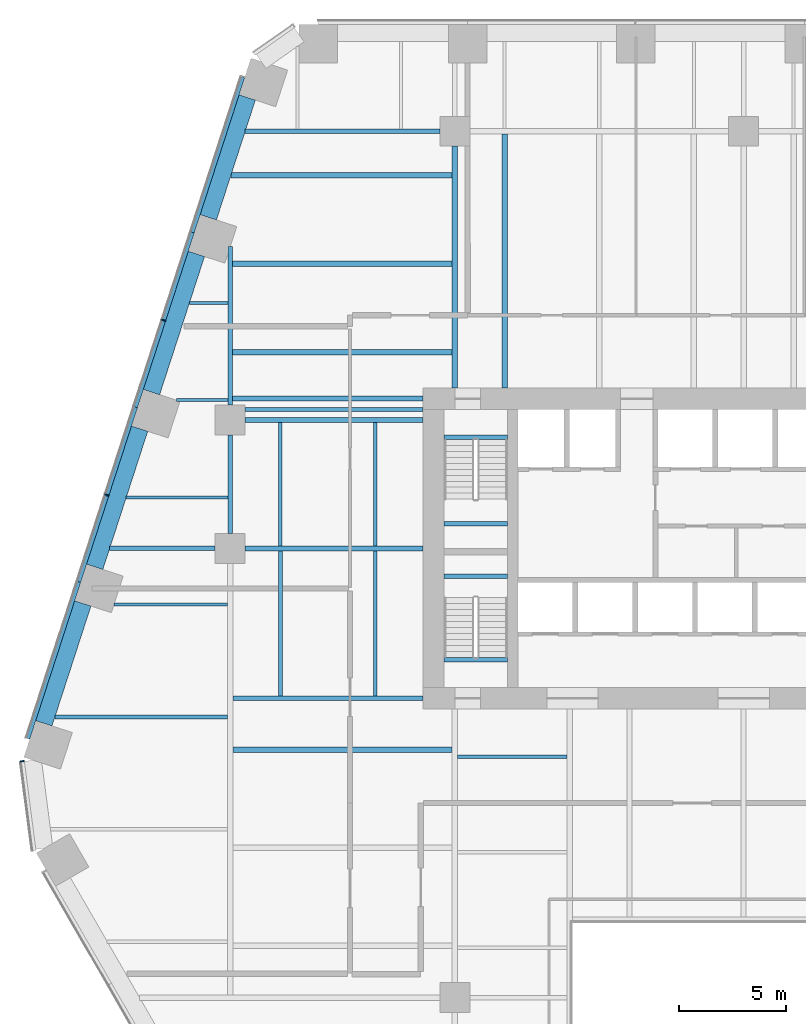
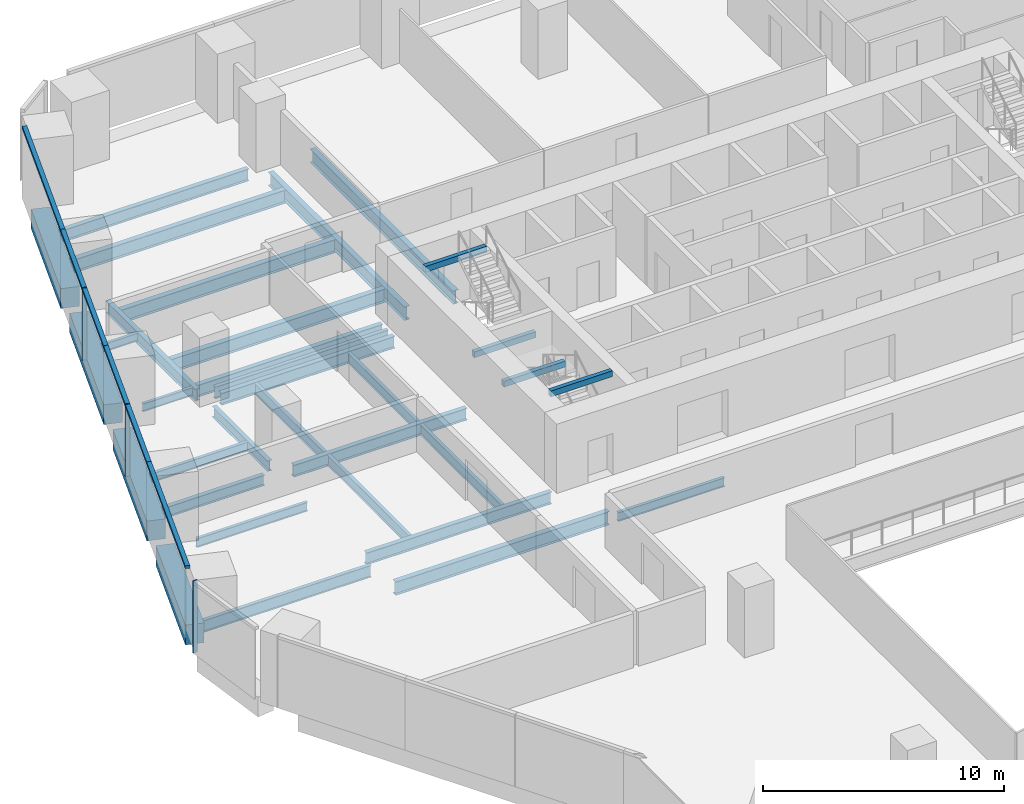
# One storey, part 8 of 20: 33 beams, 9 members, 2 elements without a shape of their own.
"""IFC4 building model written with IfcOpenShell, lengths in metres."""

from ifc_helpers import new_model, si_unit, direction, frame, origin, origin_2d, place, context, subcontext, project, spatial, rectangle, i_section, extrude, material, layer, layer_set, material_profile, profile_set, type_object, element, aggregate, save


model = new_model("IFC4")

# Units and contexts
model_context = context("Model", 3, precision=1e-05, world=origin(), true_north=direction((0.0, 1.0)))
body_context = subcontext(model_context, "Body", "Model", "MODEL_VIEW")
ifc_project = project(units=[si_unit("LENGTHUNIT", "METRE"), si_unit("AREAUNIT", "SQUARE_METRE"), si_unit("VOLUMEUNIT", "CUBIC_METRE"), si_unit("PLANEANGLEUNIT", "RADIAN"), si_unit("MASSUNIT", "GRAM", prefix="KILO")], contexts=[model_context])

# Site, building, storey
site_placement = place(None, origin())
site = spatial("IfcSite", under=ifc_project, at=site_placement, CompositionType="ELEMENT")
building_placement = place(site_placement, origin())
building = spatial("IfcBuilding", under=site, at=building_placement, Name="Isthmus Gate Tower", CompositionType="ELEMENT")
storey_placement = place(building_placement, frame((0.0, 0.0, 43.300048828125)))
storey = spatial("IfcBuildingStorey", under=building, at=storey_placement, Name="L08", CompositionType="ELEMENT", Elevation=43.300048828125)

# Curtain wall, members
ifc_material_1 = material(Name="Aluminium, pale champagne anodised", Category="aluminium")
ifc_layer = layer(ifc_material_1, 0.199951171875)
ifc_layer_set = layer_set([ifc_layer], Name="CW-1 UNITISED CURTAIN WALL 200 DEEP")
curtain_wall_type = type_object("IfcCurtainWallType", Name="CW-1 UNITISED CURTAIN WALL 200 DEEP", PredefinedType="NOTDEFINED", material=ifc_layer_set)
curtain_wall_1_placement = place(storey_placement, origin())
curtain_wall_1 = element("IfcCurtainWall", 1, at=curtain_wall_1_placement, inside=storey, type_object=curtain_wall_type, Name="CW-1 NW L08", PredefinedType="NOTDEFINED")
ifc_material_2 = material(Name="Aluminium, pale champagne anodised", Category="aluminium")
ifc_material_profile_1 = material_profile(ifc_material_2, rectangle(XDim=0.06005859375, YDim=0.199951171875, at=origin_2d()), Name="60x200")
ifc_profile_set_1 = profile_set([ifc_material_profile_1], Name="Aluminium, pale champagne anodised")
member_type_1 = type_object("IfcMemberType", Name="CW-1 MULLION 60 X 200", PredefinedType="MULLION", material=ifc_profile_set_1)
member_1_placement = place(storey_placement, frame((-27.11474609375, 18.163818359375, 0.0), z_axis=(0.0, 0.0, 1.0), x_axis=(-0.309016994375, -0.951056516295, 0.0)))
member_1 = element("IfcMember", 2, at=member_1_placement, type_object=member_type_1, Name="CW-1 mullion", PredefinedType="MULLION", context=body_context, shape_type="SweptSolid", body=[
    extrude(rectangle(XDim=0.06005859375, YDim=0.199951171875, at=origin_2d()), origin(), (0.0, 0.0, 1.0), 3.64990234375),
])
member_2_placement = place(storey_placement, frame((-29.76904296875, 9.994873046875, 0.0), z_axis=(0.0, 0.0, 1.0), x_axis=(-0.309016994375, -0.951056516295, 0.0)))
member_2 = element("IfcMember", 3, at=member_2_placement, type_object=member_type_1, Name="CW-1 mullion", PredefinedType="MULLION", context=body_context, shape_type="SweptSolid", body=[
    extrude(rectangle(XDim=0.06005859375, YDim=0.199951171875, at=origin_2d()), origin(), (0.0, 0.0, 1.0), 3.64990234375),
])

# Curtain wall, member
curtain_wall_2_placement = place(storey_placement, origin())
curtain_wall_2 = element("IfcCurtainWall", 4, at=curtain_wall_2_placement, inside=storey, type_object=curtain_wall_type, Name="CW-1 NW-SW L08", PredefinedType="NOTDEFINED")
member_3_placement = place(storey_placement, frame((-33.722900390625, -2.44482421875, 0.0), z_axis=(0.0, 0.0, 1.0), x_axis=(0.129164534, -0.991623175988, 0.0)))
member_3 = element("IfcMember", 5, at=member_3_placement, type_object=member_type_1, Name="CW-1 mullion", PredefinedType="MULLION", context=body_context, shape_type="SweptSolid", body=[
    extrude(rectangle(XDim=0.06005859375, YDim=0.199951171875, at=origin_2d()), origin(), (0.0, 0.0, 1.0), 3.64990234375),
])
aggregate(curtain_wall_2, [member_3])

# Member
ifc_material_3 = material(Name="Aluminium, pale champagne anodised", Category="aluminium")
ifc_material_profile_2 = material_profile(ifc_material_3, rectangle(XDim=0.199951171875, YDim=0.14990234375, at=origin_2d()), Name="200x150")
ifc_profile_set_2 = profile_set([ifc_material_profile_2], Name="Aluminium, pale champagne anodised")
member_type_2 = type_object("IfcMemberType", Name="CW-1 TRANSOM 200 X 150", PredefinedType="USERDEFINED", material=ifc_profile_set_2)
member_4_placement = place(storey_placement, frame((-23.4208984375, 29.532958984375, 3.574951171875), z_axis=(-0.309018780445, -0.951055935964, 0.0), x_axis=(0.951055935964, -0.309018780445, 0.0)))
member_4 = element("IfcMember", 6, at=member_4_placement, type_object=member_type_2, Name="CW-1 transom", ObjectType="TRANSOM", PredefinedType="USERDEFINED", context=body_context, shape_type="SweptSolid", body=[
    extrude(rectangle(XDim=0.199951171875, YDim=0.14990234375, at=origin_2d()), origin(), (0.0, 0.0, 1.0), 7.629638671875),
])

member_5_placement = place(storey_placement, frame((-25.778564453125, 22.27685546875, 3.574951171875), z_axis=(-0.309021801109, -0.951054954479, 0.0), x_axis=(0.951054954479, -0.309021801109, 0.0)))
member_5 = element("IfcMember", 7, at=member_5_placement, type_object=member_type_2, Name="CW-1 transom", ObjectType="TRANSOM", PredefinedType="USERDEFINED", context=body_context, shape_type="SweptSolid", body=[
    extrude(rectangle(XDim=0.199951171875, YDim=0.14990234375, at=origin_2d()), origin(), (0.0, 0.0, 1.0), 4.294677734375),
])

member_6_placement = place(storey_placement, frame((-27.1240234375, 18.13525390625, 3.574951171875), z_axis=(-0.309023496777, -0.951054403512, 0.0), x_axis=(0.951054403512, -0.309023496777, 0.0)))
member_6 = element("IfcMember", 8, at=member_6_placement, type_object=member_type_2, Name="CW-1 transom", ObjectType="TRANSOM", PredefinedType="USERDEFINED", context=body_context, shape_type="SweptSolid", body=[
    extrude(rectangle(XDim=0.199951171875, YDim=0.14990234375, at=origin_2d()), origin(), (0.0, 0.0, 1.0), 4.234619140625),
])

member_7_placement = place(storey_placement, frame((-28.4326171875, 14.10791015625, 3.574951171875), z_axis=(-0.309021801109, -0.951054954479, 0.0), x_axis=(0.951054954479, -0.309021801109, 0.0)))
member_7 = element("IfcMember", 9, at=member_7_placement, type_object=member_type_2, Name="CW-1 transom", ObjectType="TRANSOM", PredefinedType="USERDEFINED", context=body_context, shape_type="SweptSolid", body=[
    extrude(rectangle(XDim=0.199951171875, YDim=0.14990234375, at=origin_2d()), origin(), (0.0, 0.0, 1.0), 4.294677734375),
])

member_8_placement = place(storey_placement, frame((-29.7783203125, 9.96630859375, 3.574951171875), z_axis=(-0.309023496777, -0.951054403512, 0.0), x_axis=(0.951054403512, -0.309023496777, 0.0)))
member_8 = element("IfcMember", 10, at=member_8_placement, type_object=member_type_2, Name="CW-1 transom", ObjectType="TRANSOM", PredefinedType="USERDEFINED", context=body_context, shape_type="SweptSolid", body=[
    extrude(rectangle(XDim=0.199951171875, YDim=0.14990234375, at=origin_2d()), origin(), (0.0, 0.0, 1.0), 4.234619140625),
])

member_9_placement = place(storey_placement, frame((-31.0869140625, 5.93896484375, 3.574951171875), z_axis=(-0.30902720148, -0.951053199745, 0.0), x_axis=(0.951053199745, -0.30902720148, 0.0)))
member_9 = element("IfcMember", 11, at=member_9_placement, type_object=member_type_2, Name="CW-1 transom", ObjectType="TRANSOM", PredefinedType="USERDEFINED", context=body_context, shape_type="SweptSolid", body=[
    extrude(rectangle(XDim=0.199951171875, YDim=0.14990234375, at=origin_2d()), origin(), (0.0, 0.0, 1.0), 7.689453125),
])

aggregate(curtain_wall_1, [member_4, member_5, member_1, member_6, member_7, member_2, member_8, member_9])

# Beams
ifc_material_4 = material(Name="Concrete f'c 70 MPa", Category="concrete")
ifc_material_profile_3 = material_profile(ifc_material_4, rectangle(XDim=0.800048828125, YDim=1.0, at=origin_2d()), Name="RC 800X1000")
ifc_profile_set_3 = profile_set([ifc_material_profile_3], Name="Concrete f'c 70 MPa")
beam_type_1 = type_object("IfcBeamType", Name="RC SPANDREL 800 X 1000", PredefinedType="SPANDREL", material=ifc_profile_set_3)
beam_1_placement = place(storey_placement, frame((-32.70947265625, -0.672607421875, -0.5), z_axis=(0.309005457803, 0.951060264677, 0.0), x_axis=(-0.951060264677, 0.309005457803, 0.0)))
element("IfcBeam", 12, at=beam_1_placement, inside=storey, type_object=beam_type_1, Name="str-spandrel-L08-18", PredefinedType="SPANDREL", context=body_context, shape_type="SweptSolid", body=[
    extrude(rectangle(XDim=0.800048828125, YDim=1.0, at=origin_2d()), origin(), (0.0, 0.0, 1.0), 5.889404296875),
])
for number, where, z_axis, x_axis, name in (
    (13, (-30.333251953125, 6.640380859375, -0.5), (0.30900150794, 0.951061548004, 0.0), (-0.951061548004, 0.30900150794, 0.0), "str-spandrel-L08-19"),
    (14, (-27.67919921875, 14.809326171875, -0.5), (0.309034033576, 0.951050979754, 0.0), (-0.951050979754, 0.309034033576, 0.0), "str-spandrel-L08-20"),
):
    element("IfcBeam", number, at=place(storey_placement, frame(where, z_axis=z_axis, x_axis=x_axis)), inside=storey, type_object=beam_type_1, Name=name, PredefinedType="SPANDREL", context=body_context, shape_type="SweptSolid", body=[
        extrude(rectangle(XDim=0.800048828125, YDim=1.0, at=origin_2d()), origin(), (0.0, 0.0, 1.0), 6.789306640625),
    ])
beam_2_placement = place(storey_placement, frame((-25.02490234375, 22.978271484375, -0.5), z_axis=(0.309042953764, 0.951048081187, 0.0), x_axis=(-0.951048081187, 0.309042953764, 0.0)))
element("IfcBeam", 15, at=beam_2_placement, inside=storey, type_object=beam_type_1, Name="str-spandrel-L08-21", PredefinedType="SPANDREL", context=body_context, shape_type="SweptSolid", body=[
    extrude(rectangle(XDim=0.800048828125, YDim=1.0, at=origin_2d()), origin(), (0.0, 0.0, 1.0), 5.889404296875),
])
ifc_material_5 = material(Name="Concrete f'c 40 MPa", Category="concrete")
ifc_material_profile_4 = material_profile(ifc_material_5, rectangle(XDim=0.199951171875, YDim=0.300048828125, at=origin_2d()), Name="STAIR LANDING BEAM RC 200 X 300")
ifc_profile_set_4 = profile_set([ifc_material_profile_4], Name="Concrete f'c 40 MPa")
beam_type_2 = type_object("IfcBeamType", Name="STAIR LANDING BEAM RC 200 X 300", PredefinedType="BEAM", material=ifc_profile_set_4)
for number, where, z_axis, x_axis, name in (
    (16, (-14.0, 8.64990234375, 1.474853515625), (1.0, 0.0, 0.0), (0.0, 1.0, 0.0), "L08 ST1 landing beam 1"),
    (17, (-14.0, 12.7001953125, 3.349853515625), (1.0, 0.0, 0.0), (0.0, 1.0, 0.0), "L08 ST1 floor-edge seat beam"),
    (18, (-14.0, 6.199951171875, 1.474853515625), (1.0, 0.0, 0.0), (0.0, 1.0, 0.0), "L08 ST7 landing beam 1"),
    (19, (-14.0, 2.2998046875, 3.349853515625), (1.0, 0.0, 0.0), (0.0, 1.0, 0.0), "L08 ST7 floor-edge seat beam"),
):
    element("IfcBeam", number, at=place(storey_placement, frame(where, z_axis=z_axis, x_axis=x_axis)), inside=storey, type_object=beam_type_2, Name=name, PredefinedType="BEAM", context=body_context, shape_type="SweptSolid", body=[
        extrude(rectangle(XDim=0.199951171875, YDim=0.300048828125, at=origin_2d()), origin(), (0.0, 0.0, 1.0), 2.949951171875),
    ])
ifc_material_6 = material(Name="Structural steel ASTM A992 Gr 50", Category="steel")
ifc_material_profile_5 = material_profile(ifc_material_6, i_section(OverallWidth=0.1396484375, OverallDepth=0.4033203125, WebThickness=0.00634765625, FlangeThickness=0.010986328125, at=origin_2d()), Name="W16X31")
ifc_profile_set_5 = profile_set([ifc_material_profile_5], Name="Structural steel ASTM A992 Gr 50")
beam_type_3 = type_object("IfcBeamType", Name="STEEL FLOOR BEAM W16X31", PredefinedType="JOIST", material=ifc_profile_set_5)
beam_3_placement = place(storey_placement, frame((-26.503662109375, 14.427490234375, -0.3515625), z_axis=(1.0, 0.0, 0.0), x_axis=(0.0, 1.0, 0.0)))
element("IfcBeam", 20, at=beam_3_placement, inside=storey, type_object=beam_type_3, Name="str-beam-L08-01-01", PredefinedType="JOIST", context=body_context, shape_type="SweptSolid", body=[
    extrude(i_section(OverallWidth=0.1396484375, OverallDepth=0.4033203125, WebThickness=0.00634765625, FlangeThickness=0.010986328125, at=origin_2d()), origin(), (0.0, 0.0, 1.0), 2.389404296875),
])
beam_4_placement = place(storey_placement, frame((-25.90478515625, 18.975830078125, -0.3515625), z_axis=(1.0, 0.0, 0.0), x_axis=(0.0, 1.0, 0.0)))
element("IfcBeam", 21, at=beam_4_placement, inside=storey, type_object=beam_type_3, Name="str-beam-L08-01-02", PredefinedType="JOIST", context=body_context, shape_type="SweptSolid", body=[
    extrude(i_section(OverallWidth=0.1396484375, OverallDepth=0.4033203125, WebThickness=0.00634765625, FlangeThickness=0.010986328125, at=origin_2d()), origin(), (0.0, 0.0, 1.0), 1.79052734375),
])
ifc_material_7 = material(Name="Structural steel ASTM A992 Gr 50", Category="steel")
ifc_material_profile_6 = material_profile(ifc_material_7, i_section(OverallWidth=0.15234375, OverallDepth=0.45068359375, WebThickness=0.0078125, FlangeThickness=0.010986328125, at=origin_2d()), Name="W18X35")
ifc_profile_set_6 = profile_set([ifc_material_profile_6], Name="Structural steel ASTM A992 Gr 50")
beam_type_4 = type_object("IfcBeamType", Name="STEEL FLOOR BEAM W18X35", PredefinedType="JOIST", material=ifc_profile_set_6)
beam_5_placement = place(storey_placement, frame((-29.434814453125, 4.875, -0.37548828125), z_axis=(1.0, 0.0, 0.0), x_axis=(0.0, 1.0, 0.0)))
element("IfcBeam", 22, at=beam_5_placement, inside=storey, type_object=beam_type_4, Name="str-beam-L08-00-03", PredefinedType="JOIST", context=body_context, shape_type="SweptSolid", body=[
    extrude(i_section(OverallWidth=0.15234375, OverallDepth=0.45068359375, WebThickness=0.0078125, FlangeThickness=0.010986328125, at=origin_2d()), origin(), (0.0, 0.0, 1.0), 5.301513671875),
])
beam_6_placement = place(storey_placement, frame((-28.860595703125, 9.87890625, -0.37548828125), z_axis=(1.0, 0.0, 0.0), x_axis=(0.0, 1.0, 0.0)))
element("IfcBeam", 23, at=beam_6_placement, inside=storey, type_object=beam_type_4, Name="str-beam-L08-01-00", PredefinedType="JOIST", context=body_context, shape_type="SweptSolid", body=[
    extrude(i_section(OverallWidth=0.15234375, OverallDepth=0.45068359375, WebThickness=0.0078125, FlangeThickness=0.010986328125, at=origin_2d()), origin(), (0.0, 0.0, 1.0), 4.755859375),
])
beam_7_placement = place(storey_placement, frame((-13.3681640625, -2.232421875, -0.37548828125), z_axis=(1.0, 0.0, 0.0), x_axis=(0.0, 1.0, 0.0)))
element("IfcBeam", 24, at=beam_7_placement, inside=storey, type_object=beam_type_4, Name="str-beam-L08-11-02", PredefinedType="JOIST", context=body_context, shape_type="SweptSolid", body=[
    extrude(i_section(OverallWidth=0.15234375, OverallDepth=0.45068359375, WebThickness=0.0078125, FlangeThickness=0.010986328125, at=origin_2d()), origin(), (0.0, 0.0, 1.0), 5.1015625),
])
ifc_material_8 = material(Name="Structural steel ASTM A992 Gr 50", Category="steel")
ifc_material_profile_7 = material_profile(ifc_material_8, i_section(OverallWidth=0.1650390625, OverallDepth=0.52392578125, WebThickness=0.009521484375, FlangeThickness=0.010986328125, at=origin_2d()), Name="W21X44")
ifc_profile_set_7 = profile_set([ifc_material_profile_7], Name="Structural steel ASTM A992 Gr 50")
beam_type_5 = type_object("IfcBeamType", Name="STEEL FLOOR BEAM W21X44", PredefinedType="JOIST", material=ifc_profile_set_7)
for number, where, z_axis, x_axis, name in (
    (25, (-21.64990234375, 0.6142578125, -0.412109375), (0.0, 1.0, 0.0), (-1.0, 0.0, 0.0), "str-beam-L08-02-00"),
    (26, (-17.216552734375, 0.6142578125, -0.412109375), (0.0, 1.0, 0.0), (-1.0, 0.0, 0.0), "str-beam-L08-02-01"),
):
    element("IfcBeam", number, at=place(storey_placement, frame(where, z_axis=z_axis, x_axis=x_axis)), inside=storey, type_object=beam_type_5, Name=name, PredefinedType="JOIST", context=body_context, shape_type="SweptSolid", body=[
        extrude(i_section(OverallWidth=0.1650390625, OverallDepth=0.52392578125, WebThickness=0.009521484375, FlangeThickness=0.010986328125, at=origin_2d()), origin(), (0.0, 0.0, 1.0), 6.771484375),
    ])
for number, where, z_axis, x_axis, name in (
    (27, (-21.67138671875, 7.6142578125, -0.412109375), (0.0, 1.0, 0.0), (-1.0, 0.0, 0.0), "str-beam-L08-03-00"),
    (28, (-17.223876953125, 7.6142578125, -0.412109375), (0.0, 1.0, 0.0), (-1.0, 0.0, 0.0), "str-beam-L08-03-01"),
):
    element("IfcBeam", number, at=place(storey_placement, frame(where, z_axis=z_axis, x_axis=x_axis)), inside=storey, type_object=beam_type_5, Name=name, PredefinedType="JOIST", context=body_context, shape_type="SweptSolid", body=[
        extrude(i_section(OverallWidth=0.1650390625, OverallDepth=0.52392578125, WebThickness=0.009521484375, FlangeThickness=0.010986328125, at=origin_2d()), origin(), (0.0, 0.0, 1.0), 5.771484375),
    ])
ifc_material_9 = material(Name="Structural steel ASTM A992 Gr 50", Category="steel")
ifc_material_profile_8 = material_profile(ifc_material_9, i_section(OverallWidth=0.177734375, OverallDepth=0.60009765625, WebThickness=0.009521484375, FlangeThickness=0.0126953125, at=origin_2d()), Name="W24X55")
ifc_profile_set_8 = profile_set([ifc_material_profile_8], Name="Structural steel ASTM A992 Gr 50")
beam_type_6 = type_object("IfcBeamType", Name="STEEL FLOOR BEAM W24X55", PredefinedType="JOIST", material=ifc_profile_set_8)
beam_8_placement = place(storey_placement, frame((-32.192138671875, -0.375, -0.4501953125), z_axis=(1.0, 0.0, 0.0), x_axis=(0.0, 1.0, 0.0)))
element("IfcBeam", 29, at=beam_8_placement, inside=storey, type_object=beam_type_6, Name="str-beam-L08-00-02", PredefinedType="JOIST", context=body_context, shape_type="SweptSolid", body=[
    extrude(i_section(OverallWidth=0.177734375, OverallDepth=0.60009765625, WebThickness=0.009521484375, FlangeThickness=0.0126953125, at=origin_2d()), origin(), (0.0, 0.0, 1.0), 8.058837890625),
])
beam_9_placement = place(storey_placement, frame((-23.300048828125, 14.0, -0.4501953125), z_axis=(1.0, 0.0, 0.0), x_axis=(0.0, 1.0, 0.0)))
element("IfcBeam", 30, at=beam_9_placement, inside=storey, type_object=beam_type_6, Name="str-beam-L08-04-00", PredefinedType="JOIST", context=body_context, shape_type="SweptSolid", body=[
    extrude(i_section(OverallWidth=0.177734375, OverallDepth=0.60009765625, WebThickness=0.009521484375, FlangeThickness=0.0126953125, at=origin_2d()), origin(), (0.0, 0.0, 1.0), 8.300048828125),
])
ifc_material_10 = material(Name="Structural steel ASTM A992 Gr 50", Category="steel")
ifc_material_profile_9 = material_profile(ifc_material_10, i_section(OverallWidth=0.25390625, OverallDepth=0.679443359375, WebThickness=0.010986328125, FlangeThickness=0.015869140625, at=origin_2d()), Name="W27X84")
ifc_profile_set_9 = profile_set([ifc_material_profile_9], Name="Structural steel ASTM A992 Gr 50")
beam_type_7 = type_object("IfcBeamType", Name="STEEL FLOOR BEAM W27X84", PredefinedType="JOIST", material=ifc_profile_set_9)
for number, where, z_axis, x_axis, name in (
    (31, (-23.8857421875, 16.678466796875, -0.48974609375), (1.0, 0.0, 0.0), (0.0, 1.0, 0.0), "str-beam-L08-06-00"),
    (32, (-23.8857421875, 20.80712890625, -0.48974609375), (1.0, 0.0, 0.0), (0.0, 1.0, 0.0), "str-beam-L08-06-01"),
):
    element("IfcBeam", number, at=place(storey_placement, frame(where, z_axis=z_axis, x_axis=x_axis)), inside=storey, type_object=beam_type_7, Name=name, PredefinedType="JOIST", context=body_context, shape_type="SweptSolid", body=[
        extrude(i_section(OverallWidth=0.25390625, OverallDepth=0.679443359375, WebThickness=0.010986328125, FlangeThickness=0.015869140625, at=origin_2d()), origin(), (0.0, 0.0, 1.0), 10.2587890625),
    ])
beam_10_placement = place(storey_placement, frame((-23.96826171875, 24.935791015625, -0.48974609375), z_axis=(1.0, 0.0, 0.0), x_axis=(0.0, 1.0, 0.0)))
element("IfcBeam", 33, at=beam_10_placement, inside=storey, type_object=beam_type_7, Name="str-beam-L08-06-02", PredefinedType="JOIST", context=body_context, shape_type="SweptSolid", body=[
    extrude(i_section(OverallWidth=0.25390625, OverallDepth=0.679443359375, WebThickness=0.010986328125, FlangeThickness=0.015869140625, at=origin_2d()), origin(), (0.0, 0.0, 1.0), 10.34130859375),
])
beam_11_placement = place(storey_placement, frame((-23.86669921875, -1.90625, -0.48974609375), z_axis=(1.0, 0.0, 0.0), x_axis=(0.0, 1.0, 0.0)))
element("IfcBeam", 34, at=beam_11_placement, inside=storey, type_object=beam_type_7, Name="str-beam-L08-07-02", PredefinedType="JOIST", context=body_context, shape_type="SweptSolid", body=[
    extrude(i_section(OverallWidth=0.25390625, OverallDepth=0.679443359375, WebThickness=0.010986328125, FlangeThickness=0.015869140625, at=origin_2d()), origin(), (0.0, 0.0, 1.0), 10.23486328125),
])
beam_12_placement = place(storey_placement, frame((-11.165283203125, 15.0, -0.48974609375), z_axis=(0.0, 1.0, 0.0), x_axis=(-1.0, 0.0, 0.0)))
element("IfcBeam", 35, at=beam_12_placement, inside=storey, type_object=beam_type_7, Name="str-beam-L08-13-00", PredefinedType="JOIST", context=body_context, shape_type="SweptSolid", body=[
    extrude(i_section(OverallWidth=0.25390625, OverallDepth=0.679443359375, WebThickness=0.010986328125, FlangeThickness=0.015869140625, at=origin_2d()), origin(), (0.0, 0.0, 1.0), 11.8681640625),
])
ifc_material_11 = material(Name="Structural steel ASTM A992 Gr 50", Category="steel")
ifc_material_profile_10 = material_profile(ifc_material_11, i_section(OverallWidth=0.20947265625, OverallDepth=0.533447265625, WebThickness=0.009521484375, FlangeThickness=0.015869140625, at=origin_2d()), Name="W21X62")
ifc_profile_set_10 = profile_set([ifc_material_profile_10], Name="Structural steel ASTM A992 Gr 50")
beam_type_8 = type_object("IfcBeamType", Name="STEEL GIRDER W21X62", PredefinedType="BEAM", material=ifc_profile_set_10)
beam_13_placement = place(storey_placement, frame((-29.633544921875, 7.5, -0.416748046875), z_axis=(1.0, 0.0, 0.0), x_axis=(0.0, 1.0, 0.0)))
element("IfcBeam", 36, at=beam_13_placement, inside=storey, type_object=beam_type_8, Name="str-girder-L08-09", PredefinedType="BEAM", context=body_context, shape_type="SweptSolid", body=[
    extrude(i_section(OverallWidth=0.20947265625, OverallDepth=0.533447265625, WebThickness=0.009521484375, FlangeThickness=0.015869140625, at=origin_2d()), origin(), (0.0, 0.0, 1.0), 4.93359375),
])
beam_14_placement = place(storey_placement, frame((-24.0, 8.199951171875, -0.416748046875), z_axis=(0.0, 1.0, 0.0), x_axis=(-1.0, 0.0, 0.0)))
element("IfcBeam", 37, at=beam_14_placement, inside=storey, type_object=beam_type_8, Name="str-girder-L08-21", PredefinedType="BEAM", context=body_context, shape_type="SweptSolid", body=[
    extrude(i_section(OverallWidth=0.20947265625, OverallDepth=0.533447265625, WebThickness=0.009521484375, FlangeThickness=0.015869140625, at=origin_2d()), origin(), (0.0, 0.0, 1.0), 4.60009765625),
])
ifc_material_12 = material(Name="Structural steel ASTM A992 Gr 50", Category="steel")
ifc_material_profile_11 = material_profile(ifc_material_12, i_section(OverallWidth=0.228515625, OverallDepth=0.603271484375, WebThickness=0.010986328125, FlangeThickness=0.014404296875, at=origin_2d()), Name="W24X68")
ifc_profile_set_11 = profile_set([ifc_material_profile_11], Name="Structural steel ASTM A992 Gr 50")
beam_type_9 = type_object("IfcBeamType", Name="STEEL GIRDER W24X68", PredefinedType="BEAM", material=ifc_profile_set_11)
beam_15_placement = place(storey_placement, frame((-24.0, 14.199951171875, -0.45166015625), z_axis=(0.0, 1.0, 0.0), x_axis=(-1.0, 0.0, 0.0)))
element("IfcBeam", 38, at=beam_15_placement, inside=storey, type_object=beam_type_9, Name="str-girder-L08-22", PredefinedType="BEAM", context=body_context, shape_type="SweptSolid", body=[
    extrude(i_section(OverallWidth=0.228515625, OverallDepth=0.603271484375, WebThickness=0.010986328125, FlangeThickness=0.014404296875, at=origin_2d()), origin(), (0.0, 0.0, 1.0), 7.402099609375),
])
ifc_material_13 = material(Name="Structural steel ASTM A992 Gr 50", Category="steel")
ifc_material_profile_12 = material_profile(ifc_material_13, i_section(OverallWidth=0.228515625, OverallDepth=0.6064453125, WebThickness=0.010986328125, FlangeThickness=0.017578125, at=origin_2d()), Name="W24X76")
ifc_profile_set_12 = profile_set([ifc_material_profile_12], Name="Structural steel ASTM A992 Gr 50")
beam_type_10 = type_object("IfcBeamType", Name="STEEL GIRDER W24X76", PredefinedType="BEAM", material=ifc_profile_set_12)
for number, where, z_axis, x_axis, name in (
    (39, (-23.300048828125, 7.5, -0.453369140625), (1.0, 0.0, 0.0), (0.0, 1.0, 0.0), "str-girder-L08-10"),
    (40, (-23.300048828125, 13.5, -0.453369140625), (1.0, 0.0, 0.0), (0.0, 1.0, 0.0), "str-girder-L08-13"),
):
    element("IfcBeam", number, at=place(storey_placement, frame(where, z_axis=z_axis, x_axis=x_axis)), inside=storey, type_object=beam_type_10, Name=name, PredefinedType="BEAM", context=body_context, shape_type="SweptSolid", body=[
        extrude(i_section(OverallWidth=0.228515625, OverallDepth=0.6064453125, WebThickness=0.010986328125, FlangeThickness=0.017578125, at=origin_2d()), origin(), (0.0, 0.0, 1.0), 8.300048828125),
    ])
beam_16_placement = place(storey_placement, frame((-23.297607421875, 27.0, -0.453369140625), z_axis=(1.0, 0.0, 0.0), x_axis=(0.0, 1.0, 0.0)))
element("IfcBeam", 41, at=beam_16_placement, inside=storey, type_object=beam_type_10, Name="str-girder-L08-16", PredefinedType="BEAM", context=body_context, shape_type="SweptSolid", body=[
    extrude(i_section(OverallWidth=0.228515625, OverallDepth=0.6064453125, WebThickness=0.010986328125, FlangeThickness=0.017578125, at=origin_2d()), origin(), (0.0, 0.0, 1.0), 9.09765625),
])
beam_17_placement = place(storey_placement, frame((-15.0, 0.5, -0.453369140625), z_axis=(-1.0, 0.0, 0.0), x_axis=(0.0, -1.0, 0.0)))
element("IfcBeam", 42, at=beam_17_placement, inside=storey, type_object=beam_type_10, Name="str-girder-L08-38", PredefinedType="BEAM", context=body_context, shape_type="SweptSolid", body=[
    extrude(i_section(OverallWidth=0.228515625, OverallDepth=0.6064453125, WebThickness=0.010986328125, FlangeThickness=0.017578125, at=origin_2d()), origin(), (0.0, 0.0, 1.0), 8.86669921875),
])
beam_18_placement = place(storey_placement, frame((-15.0, 14.5, -0.453369140625), z_axis=(-1.0, 0.0, 0.0), x_axis=(0.0, -1.0, 0.0)))
element("IfcBeam", 43, at=beam_18_placement, inside=storey, type_object=beam_type_10, Name="str-girder-L08-40", PredefinedType="BEAM", context=body_context, shape_type="SweptSolid", body=[
    extrude(i_section(OverallWidth=0.228515625, OverallDepth=0.6064453125, WebThickness=0.010986328125, FlangeThickness=0.017578125, at=origin_2d()), origin(), (0.0, 0.0, 1.0), 8.8857421875),
])
ifc_material_14 = material(Name="Structural steel ASTM A992 Gr 50", Category="steel")
ifc_material_profile_13 = material_profile(ifc_material_14, i_section(OverallWidth=0.25390625, OverallDepth=0.679443359375, WebThickness=0.010986328125, FlangeThickness=0.015869140625, at=origin_2d()), Name="W27X84")
ifc_profile_set_13 = profile_set([ifc_material_profile_13], Name="Structural steel ASTM A992 Gr 50")
beam_type_11 = type_object("IfcBeamType", Name="STEEL GIRDER W27X84", PredefinedType="BEAM", material=ifc_profile_set_13)
beam_19_placement = place(storey_placement, frame((-13.5, 15.0, -0.48974609375), z_axis=(0.0, 1.0, 0.0), x_axis=(-1.0, 0.0, 0.0)))
element("IfcBeam", 44, at=beam_19_placement, inside=storey, type_object=beam_type_11, Name="str-girder-L08-26", PredefinedType="BEAM", context=body_context, shape_type="SweptSolid", body=[
    extrude(i_section(OverallWidth=0.25390625, OverallDepth=0.679443359375, WebThickness=0.010986328125, FlangeThickness=0.015869140625, at=origin_2d()), origin(), (0.0, 0.0, 1.0), 11.300048828125),
])

save(model, "model.ifc")
